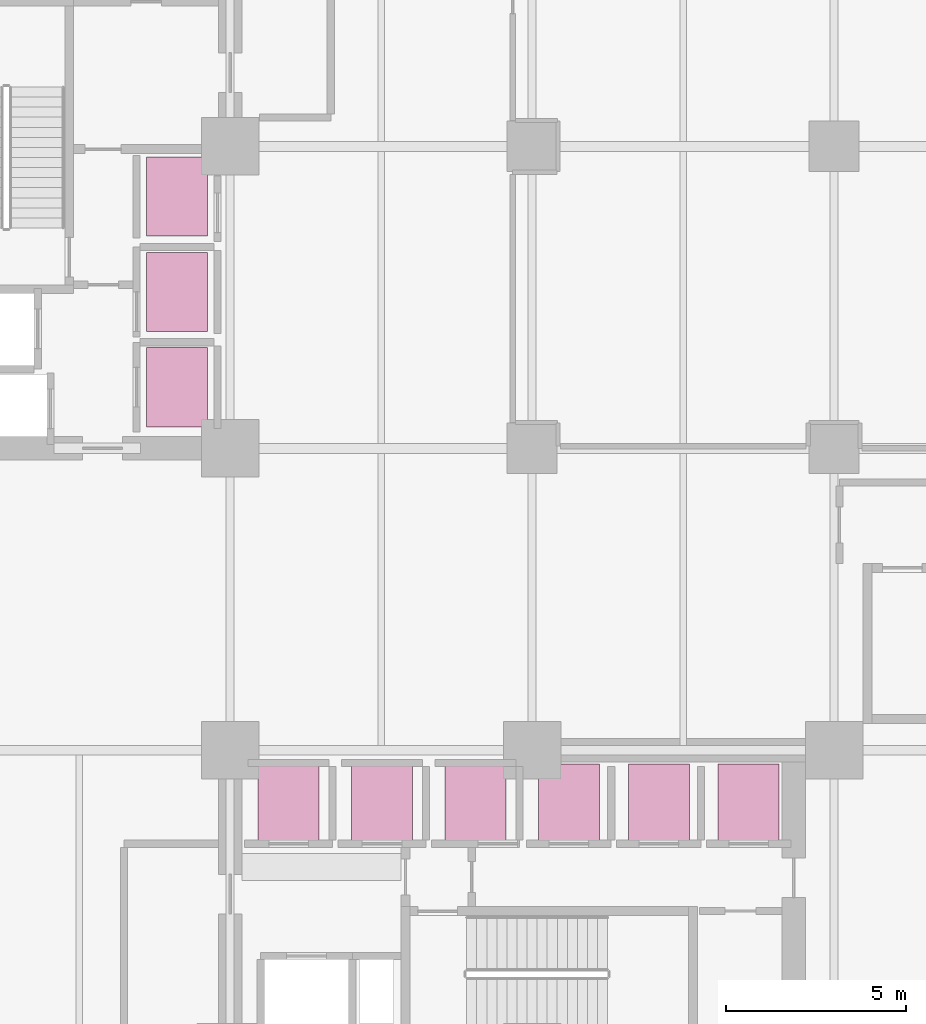
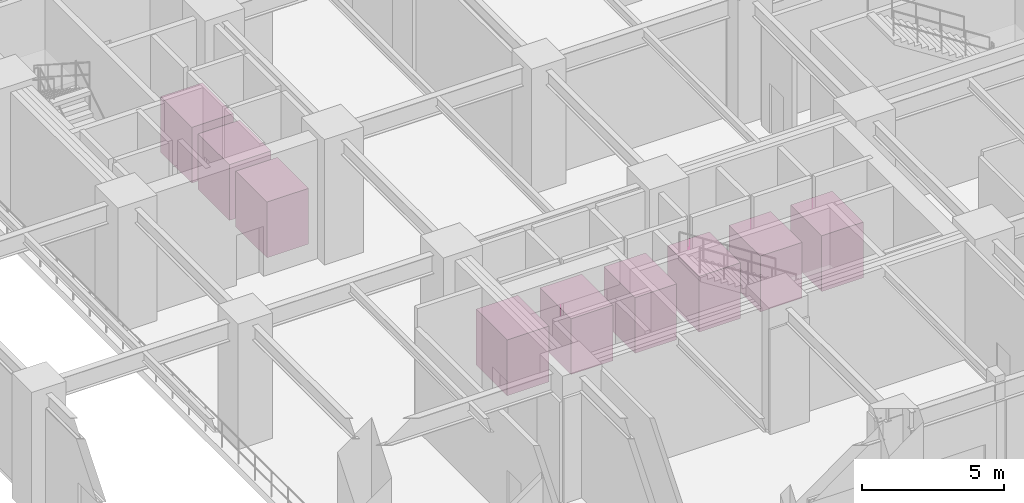
# One storey, part 13 of 13: 9 transport elements.
"""IFC4 building model written with IfcOpenShell, lengths in metres."""

from ifc_helpers import new_model, si_unit, direction, frame, origin, origin_2d, place, context, subcontext, project, spatial, rectangle, extrude, material, type_object, element, save


model = new_model("IFC4")

# Units and contexts
model_context = context("Model", 3, precision=1e-05, world=origin(), true_north=direction((0.0, 1.0)))
body_context = subcontext(model_context, "Body", "Model", "MODEL_VIEW")
ifc_project = project(units=[si_unit("LENGTHUNIT", "METRE"), si_unit("AREAUNIT", "SQUARE_METRE"), si_unit("VOLUMEUNIT", "CUBIC_METRE"), si_unit("PLANEANGLEUNIT", "RADIAN"), si_unit("MASSUNIT", "GRAM", prefix="KILO")], contexts=[model_context])

# Site, building, storey
site_placement = place(None, origin())
site = spatial("IfcSite", under=ifc_project, at=site_placement, CompositionType="ELEMENT")
building_placement = place(site_placement, origin())
building = spatial("IfcBuilding", under=site, at=building_placement, Name="Nerrivon Quay Data Exchange", CompositionType="ELEMENT")
storey_placement = place(building_placement, origin())
storey = spatial("IfcBuildingStorey", under=building, at=storey_placement, Name="L00", CompositionType="ELEMENT", Elevation=0.0)

# Transport elements
ifc_material = material(Name="Powder-coated galvanized steel sheet", Category="steel")
transport_element_type = type_object("IfcTransportElementType", Name="LIFT-PASS-1800", PredefinedType="ELEVATOR", material=ifc_material)
for number, where, z_axis, x_axis, name in (
    (1, (15.324951171875, 26.89990234375, 0.0), (0.0, 0.0, 1.0), (1.0, 0.0, 0.0), "Passenger Lift PL1"),
    (2, (15.324951171875, 29.550048828125, 0.0), (0.0, 0.0, 1.0), (1.0, 0.0, 0.0), "Passenger Lift PL2"),
    (3, (15.324951171875, 32.199951171875, 0.0), (0.0, 0.0, 1.0), (1.0, 0.0, 0.0), "Passenger Lift PL3"),
    (4, (18.425048828125, 15.324951171875, 0.0), (0.0, 0.0, 1.0), (1.0, 0.0, 0.0), "Passenger Lift PL4"),
    (5, (21.02490234375, 15.324951171875, 0.0), (0.0, 0.0, 1.0), (1.0, 0.0, 0.0), "Passenger Lift PL5"),
    (6, (23.625, 15.324951171875, 0.0), (0.0, 0.0, 1.0), (1.0, 0.0, 0.0), "Passenger Lift PL6"),
    (7, (26.22509765625, 15.324951171875, 0.0), (0.0, 0.0, 1.0), (1.0, 0.0, 0.0), "Passenger Lift PL7"),
    (8, (28.72509765625, 15.324951171875, 0.0), (0.0, 0.0, 1.0), (1.0, 0.0, 0.0), "Passenger Lift PL8"),
    (9, (31.22509765625, 15.324951171875, 0.0), (0.0, 0.0, 1.0), (1.0, 0.0, 0.0), "Passenger Lift PL9"),
):
    element("IfcTransportElement", number, at=place(storey_placement, frame(where, z_axis=z_axis, x_axis=x_axis)), inside=storey, type_object=transport_element_type, Name=name, PredefinedType="ELEVATOR", context=body_context, shape_type="SweptSolid", body=[
        extrude(rectangle(XDim=1.699951171875, YDim=2.199951171875, at=origin_2d()), origin(), (0.0, 0.0, 1.0), 2.39990234375),
    ])

save(model, "model.ifc")
